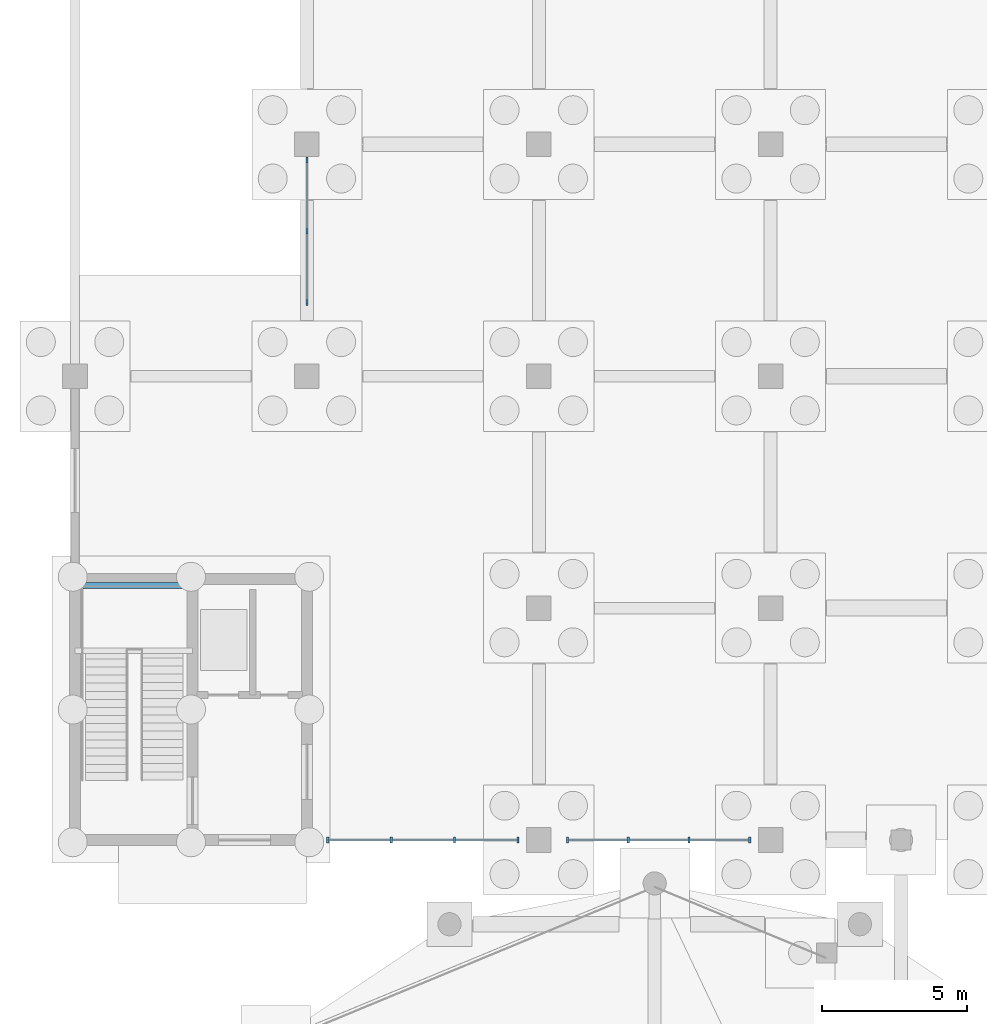
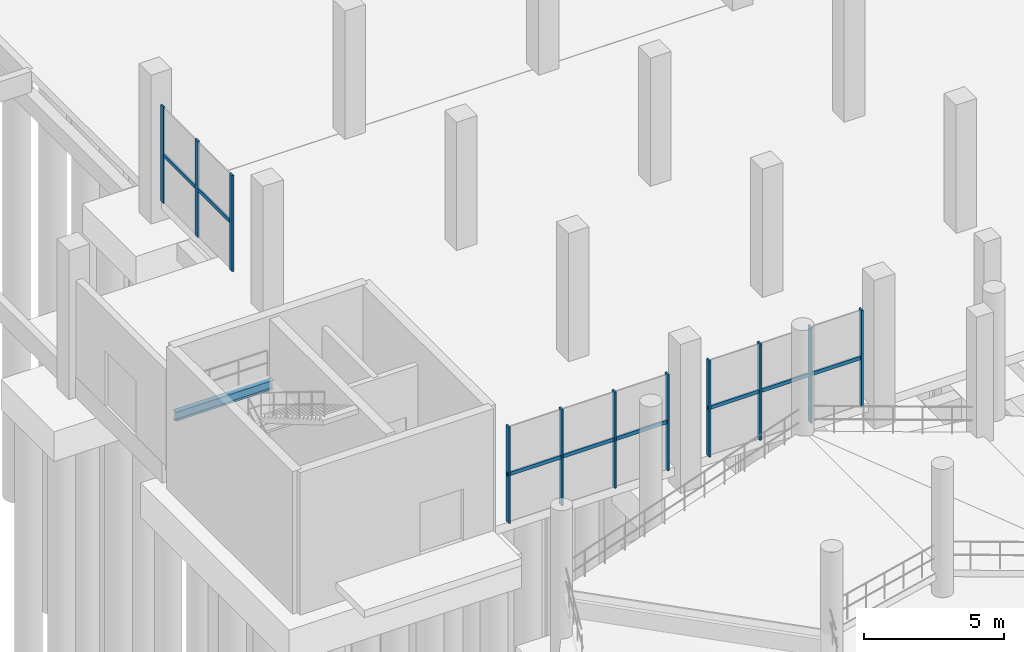
# One storey, part 41 of 98: 14 members, 1 beam, 3 elements without a shape of their own.
"""IFC4 building model written with IfcOpenShell, lengths in metres."""

from ifc_helpers import new_model, si_unit, derived_unit, direction, frame, origin, origin_2d, place, context, subcontext, project, spatial, rectangle, i_section, extrude, material, layer, layer_set, material_profile, profile_set, type_object, element, aggregate, save


model = new_model("IFC4")

# Units and contexts
model_context = context("Model", 3, precision=1e-05, world=origin(), true_north=direction((0.0, 1.0)))
body_context = subcontext(model_context, "Body", "Model", "MODEL_VIEW")
ifc_project = project(units=[si_unit("LENGTHUNIT", "METRE"), si_unit("AREAUNIT", "SQUARE_METRE"), si_unit("VOLUMEUNIT", "CUBIC_METRE"), si_unit("PLANEANGLEUNIT", "RADIAN"), si_unit("MASSUNIT", "GRAM", prefix="KILO"), si_unit("THERMODYNAMICTEMPERATUREUNIT", "KELVIN"), derived_unit("THERMALTRANSMITTANCEUNIT", [(si_unit("POWERUNIT", "WATT"), 1), (si_unit("AREAUNIT", "SQUARE_METRE"), -1), (si_unit("THERMODYNAMICTEMPERATUREUNIT", "KELVIN"), -1)])], contexts=[model_context])

# Site, building, storey
site_placement = place(None, origin())
site = spatial("IfcSite", under=ifc_project, at=site_placement, CompositionType="ELEMENT")
building_placement = place(site_placement, origin())
building = spatial("IfcBuilding", under=site, at=building_placement, Name="Haiyu Intermodal Mobility Hub", CompositionType="ELEMENT")
storey_placement = place(building_placement, origin())
storey = spatial("IfcBuildingStorey", under=building, at=storey_placement, Name="L00", CompositionType="ELEMENT", Elevation=0.0)

# Beam
ifc_material_1 = material(Name="Steel Q355C", Category="steel")
ifc_material_profile_1 = material_profile(ifc_material_1, i_section(OverallWidth=0.199951171875, OverallDepth=0.39990234375, WebThickness=0.008056640625, FlangeThickness=0.012939453125, FilletRadius=0.01611328125, at=origin_2d()), Name="HN400x200x8x13")
ifc_profile_set_1 = profile_set([ifc_material_profile_1], Name="Steel Q355C")
beam_type = type_object("IfcBeamType", Name="BM-SB08", PredefinedType="JOIST", material=ifc_profile_set_1)
beam_placement = place(storey_placement, frame((14.0, 88.780029296875, 2.375), z_axis=(1.0, 0.0, 0.0), x_axis=(0.0, 1.0, 0.0)))
element("IfcBeam", 1, at=beam_placement, inside=storey, type_object=beam_type, Name="Stair Half-Landing Rear Beam C7-L00", PredefinedType="JOIST", context=body_context, shape_type="SweptSolid", body=[
    extrude(i_section(OverallWidth=0.199951171875, OverallDepth=0.39990234375, WebThickness=0.008056640625, FlangeThickness=0.012939453125, FilletRadius=0.01611328125, at=origin_2d()), origin(), (0.0, 0.0, 1.0), 4.050048828125),
])

# Curtain wall, members
ifc_material_2 = material(Name="Low-e laminated insulating glass", Category="glass")
ifc_layer = layer(ifc_material_2, 0.219970703125)
ifc_layer_set = layer_set([ifc_layer], Name="Low-e laminated insulating glass")
curtain_wall_type = type_object("IfcCurtainWallType", Name="CW-CW01", PredefinedType="NOTDEFINED", material=ifc_layer_set)
curtain_wall_1_placement = place(storey_placement, origin())
curtain_wall_1 = element("IfcCurtainWall", 2, at=curtain_wall_1_placement, inside=storey, type_object=curtain_wall_type, Name="Curtain Wall CW-SW-L00-184", PredefinedType="NOTDEFINED")
ifc_material_3 = material(Name="Anodised aluminium 6063-T6", Category="aluminium")
ifc_material_profile_2 = material_profile(ifc_material_3, rectangle(XDim=0.074951171875, YDim=0.199951171875, at=origin_2d()), Name="ALU75x200")
ifc_profile_set_2 = profile_set([ifc_material_profile_2], Name="Anodised aluminium 6063-T6")
member_type_1 = type_object("IfcMemberType", Name="CWM-ML01", PredefinedType="MULLION", material=ifc_profile_set_2)
member_1_placement = place(storey_placement, frame((22.719970703125, 80.0, 0.0), z_axis=(0.0, 0.0, 1.0), x_axis=(1.0, 0.0, 0.0)))
member_1 = element("IfcMember", 3, at=member_1_placement, type_object=member_type_1, Name="CW-SW-L00-184-ML01", PredefinedType="MULLION", context=body_context, shape_type="SweptSolid", body=[
    extrude(rectangle(XDim=0.074951171875, YDim=0.199951171875, at=origin_2d()), origin(), (0.0, 0.0, 1.0), 4.199951171875),
])
member_2_placement = place(storey_placement, frame((24.906982421875, 80.0, 0.0), z_axis=(0.0, 0.0, 1.0), x_axis=(1.0, 0.0, 0.0)))
member_2 = element("IfcMember", 4, at=member_2_placement, type_object=member_type_1, Name="CW-SW-L00-184-ML02", PredefinedType="MULLION", context=body_context, shape_type="SweptSolid", body=[
    extrude(rectangle(XDim=0.074951171875, YDim=0.199951171875, at=origin_2d()), origin(), (0.0, 0.0, 1.0), 4.199951171875),
])
member_3_placement = place(storey_placement, frame((27.093017578125, 80.0, 0.0), z_axis=(0.0, 0.0, 1.0), x_axis=(1.0, 0.0, 0.0)))
member_3 = element("IfcMember", 5, at=member_3_placement, type_object=member_type_1, Name="CW-SW-L00-184-ML03", PredefinedType="MULLION", context=body_context, shape_type="SweptSolid", body=[
    extrude(rectangle(XDim=0.074951171875, YDim=0.199951171875, at=origin_2d()), origin(), (0.0, 0.0, 1.0), 4.199951171875),
])
member_4_placement = place(storey_placement, frame((29.280029296875, 80.0, 0.0), z_axis=(0.0, 0.0, 1.0), x_axis=(1.0, 0.0, 0.0)))
member_4 = element("IfcMember", 6, at=member_4_placement, type_object=member_type_1, Name="CW-SW-L00-184-ML04", PredefinedType="MULLION", context=body_context, shape_type="SweptSolid", body=[
    extrude(rectangle(XDim=0.074951171875, YDim=0.199951171875, at=origin_2d()), origin(), (0.0, 0.0, 1.0), 4.199951171875),
])

curtain_wall_2_placement = place(storey_placement, origin())
curtain_wall_2 = element("IfcCurtainWall", 7, at=curtain_wall_2_placement, inside=storey, type_object=curtain_wall_type, Name="Curtain Wall CW-SW-L00-185", PredefinedType="NOTDEFINED")
member_5_placement = place(storey_placement, frame((30.989990234375, 80.0, 0.0), z_axis=(0.0, 0.0, 1.0), x_axis=(1.0, 0.0, 0.0)))
member_5 = element("IfcMember", 8, at=member_5_placement, type_object=member_type_1, Name="CW-SW-L00-185-ML01", PredefinedType="MULLION", context=body_context, shape_type="SweptSolid", body=[
    extrude(rectangle(XDim=0.074951171875, YDim=0.199951171875, at=origin_2d()), origin(), (0.0, 0.0, 1.0), 4.199951171875),
])
member_6_placement = place(storey_placement, frame((33.0869140625, 80.0, 0.0), z_axis=(0.0, 0.0, 1.0), x_axis=(1.0, 0.0, 0.0)))
member_6 = element("IfcMember", 9, at=member_6_placement, type_object=member_type_1, Name="CW-SW-L00-185-ML02", PredefinedType="MULLION", context=body_context, shape_type="SweptSolid", body=[
    extrude(rectangle(XDim=0.074951171875, YDim=0.199951171875, at=origin_2d()), origin(), (0.0, 0.0, 1.0), 4.199951171875),
])
member_7_placement = place(storey_placement, frame((35.18310546875, 80.0, 0.0), z_axis=(0.0, 0.0, 1.0), x_axis=(1.0, 0.0, 0.0)))
member_7 = element("IfcMember", 10, at=member_7_placement, type_object=member_type_1, Name="CW-SW-L00-185-ML03", PredefinedType="MULLION", context=body_context, shape_type="SweptSolid", body=[
    extrude(rectangle(XDim=0.074951171875, YDim=0.199951171875, at=origin_2d()), origin(), (0.0, 0.0, 1.0), 4.199951171875),
])
member_8_placement = place(storey_placement, frame((37.280029296875, 80.0, 0.0), z_axis=(0.0, 0.0, 1.0), x_axis=(1.0, 0.0, 0.0)))
member_8 = element("IfcMember", 11, at=member_8_placement, type_object=member_type_1, Name="CW-SW-L00-185-ML04", PredefinedType="MULLION", context=body_context, shape_type="SweptSolid", body=[
    extrude(rectangle(XDim=0.074951171875, YDim=0.199951171875, at=origin_2d()), origin(), (0.0, 0.0, 1.0), 4.199951171875),
])

curtain_wall_3_placement = place(storey_placement, origin())
curtain_wall_3 = element("IfcCurtainWall", 12, at=curtain_wall_3_placement, inside=storey, type_object=curtain_wall_type, Name="Curtain Wall CW-SWW-L00-186", PredefinedType="NOTDEFINED")
member_9_placement = place(storey_placement, frame((22.0, 103.4599609375, 0.0), z_axis=(0.0, 0.0, 1.0), x_axis=(1.0, 0.0, 0.0)))
member_9 = element("IfcMember", 13, at=member_9_placement, type_object=member_type_1, Name="CW-SWW-L00-186-ML01", PredefinedType="MULLION", context=body_context, shape_type="SweptSolid", body=[
    extrude(rectangle(XDim=0.074951171875, YDim=0.199951171875, at=origin_2d()), origin(), (0.0, 0.0, 1.0), 4.199951171875),
])
member_10_placement = place(storey_placement, frame((22.0, 101.0, 0.0), z_axis=(0.0, 0.0, 1.0), x_axis=(1.0, 0.0, 0.0)))
member_10 = element("IfcMember", 14, at=member_10_placement, type_object=member_type_1, Name="CW-SWW-L00-186-ML02", PredefinedType="MULLION", context=body_context, shape_type="SweptSolid", body=[
    extrude(rectangle(XDim=0.074951171875, YDim=0.199951171875, at=origin_2d()), origin(), (0.0, 0.0, 1.0), 4.199951171875),
])
member_11_placement = place(storey_placement, frame((22.0, 98.5400390625, 0.0), z_axis=(0.0, 0.0, 1.0), x_axis=(1.0, 0.0, 0.0)))
member_11 = element("IfcMember", 15, at=member_11_placement, type_object=member_type_1, Name="CW-SWW-L00-186-ML03", PredefinedType="MULLION", context=body_context, shape_type="SweptSolid", body=[
    extrude(rectangle(XDim=0.074951171875, YDim=0.199951171875, at=origin_2d()), origin(), (0.0, 0.0, 1.0), 4.199951171875),
])

# Member
ifc_material_profile_3 = material_profile(ifc_material_3, rectangle(XDim=0.074951171875, YDim=0.159912109375, at=origin_2d()), Name="ALU75x160")
ifc_profile_set_3 = profile_set([ifc_material_profile_3], Name="Anodised aluminium 6063-T6")
member_type_2 = type_object("IfcMemberType", Name="CWM-TR01", PredefinedType="USERDEFINED", material=ifc_profile_set_3)
member_12_placement = place(storey_placement, frame((22.679931640625, 80.0, 2.10009765625), z_axis=(1.0, 0.0, 0.0), x_axis=(0.0, 1.0, 0.0)))
member_12 = element("IfcMember", 16, at=member_12_placement, type_object=member_type_2, Name="CW-SW-L00-184-TR01", ObjectType="TRANSOM", PredefinedType="USERDEFINED", context=body_context, shape_type="SweptSolid", body=[
    extrude(rectangle(XDim=0.074951171875, YDim=0.159912109375, at=origin_2d()), origin(), (0.0, 0.0, 1.0), 6.64013671875),
])

aggregate(curtain_wall_1, [member_1, member_2, member_3, member_4, member_12])

member_13_placement = place(storey_placement, frame((30.949951171875, 80.0, 2.10009765625), z_axis=(1.0, 0.0, 0.0), x_axis=(0.0, 1.0, 0.0)))
member_13 = element("IfcMember", 17, at=member_13_placement, type_object=member_type_2, Name="CW-SW-L00-185-TR01", ObjectType="TRANSOM", PredefinedType="USERDEFINED", context=body_context, shape_type="SweptSolid", body=[
    extrude(rectangle(XDim=0.074951171875, YDim=0.159912109375, at=origin_2d()), origin(), (0.0, 0.0, 1.0), 6.3701171875),
])

aggregate(curtain_wall_2, [member_5, member_6, member_7, member_8, member_13])

member_14_placement = place(storey_placement, frame((22.0, 103.5, 2.10009765625), z_axis=(0.0, -1.0, 0.0), x_axis=(1.0, 0.0, 0.0)))
member_14 = element("IfcMember", 18, at=member_14_placement, type_object=member_type_2, Name="CW-SWW-L00-186-TR01", ObjectType="TRANSOM", PredefinedType="USERDEFINED", context=body_context, shape_type="SweptSolid", body=[
    extrude(rectangle(XDim=0.074951171875, YDim=0.159912109375, at=origin_2d()), origin(), (0.0, 0.0, 1.0), 5.0),
])

aggregate(curtain_wall_3, [member_9, member_10, member_11, member_14])

save(model, "model.ifc")
